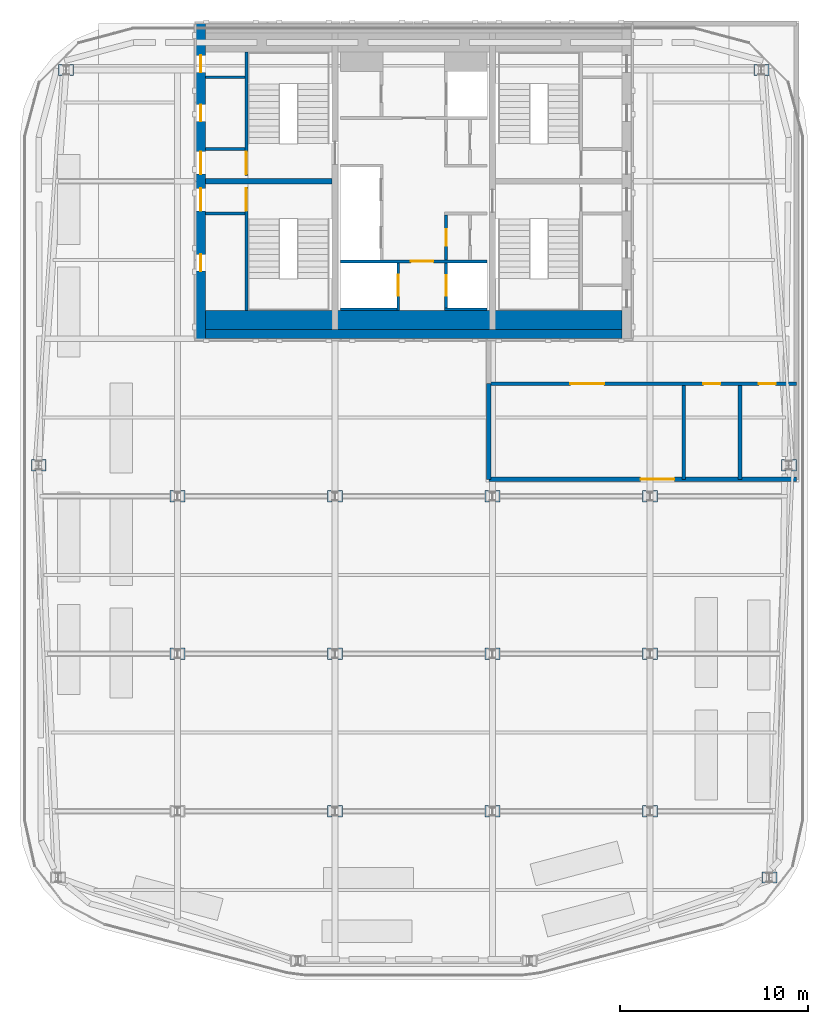
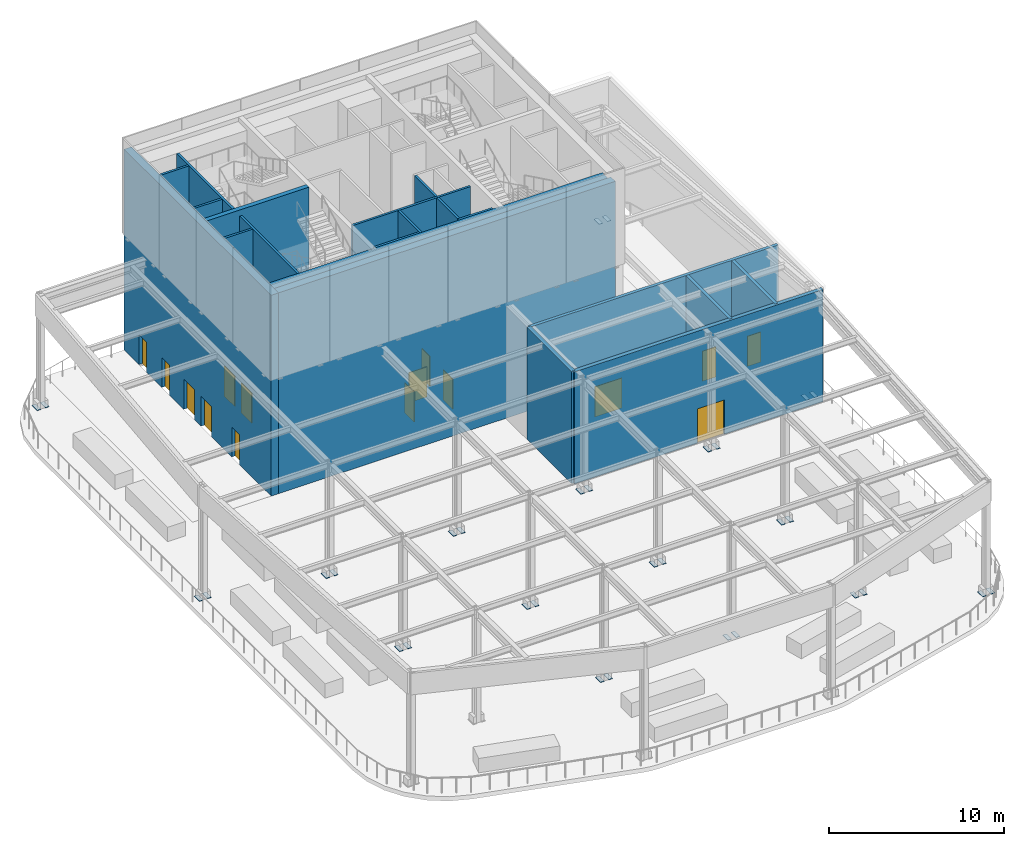
# One storey, part 6 of 14: 32 plates, 20 walls, 15 doors, 15 openings.
"""IFC4 building model written with IfcOpenShell, lengths in metres."""

from ifc_helpers import new_model, si_unit, direction, frame, frame_2d, origin, origin_2d, place, context, subcontext, project, spatial, rectangle, extrude, material, layer, layer_set, type_object, element, fill, save


model = new_model("IFC4")

# Units and contexts
model_context = context("Model", 3, precision=1e-05, world=origin(), true_north=direction((0.0, 1.0)))
body_context = subcontext(model_context, "Body", "Model", "MODEL_VIEW")
ifc_project = project(units=[si_unit("LENGTHUNIT", "METRE"), si_unit("AREAUNIT", "SQUARE_METRE"), si_unit("VOLUMEUNIT", "CUBIC_METRE"), si_unit("PLANEANGLEUNIT", "RADIAN"), si_unit("MASSUNIT", "GRAM", prefix="KILO")], contexts=[model_context])

# Site, building, storey
site_placement = place(None, origin())
site = spatial("IfcSite", under=ifc_project, at=site_placement, CompositionType="ELEMENT")
building_placement = place(site_placement, origin())
building = spatial("IfcBuilding", under=site, at=building_placement, Name="Marenta Gate Hotel Tower", CompositionType="ELEMENT")
storey_placement = place(building_placement, frame((0.0, 0.0, 295.699951171875)))
storey = spatial("IfcBuildingStorey", under=building, at=storey_placement, Name="L67", CompositionType="ELEMENT", Elevation=295.699951171875)

# Plates
ifc_material_1 = material(Name="Steel S355J2W", Category="steel")
ifc_layer_1 = layer(ifc_material_1, 0.02490234375)
ifc_layer_set_1 = layer_set([ifc_layer_1], Name="Steel S355J2W")
plate_type = type_object("IfcPlateType", Name="Column base plate 25 mm", PredefinedType="SHEET", material=ifc_layer_set_1)
for number, where, z_axis, x_axis, name in (
    (1, (18.68798828125, -28.73291015625, 0.0), (0.0, 0.0, 1.0), (1.0, 0.0, 0.0), "BP1 Column base plate"),
    (2, (19.238037109375, -28.73291015625, 0.0), (0.0, 0.0, 1.0), (1.0, 0.0, 0.0), "BP1 Column base plate"),
    (3, (19.72509765625, -6.75, 0.0), (0.0, 0.0, 1.0), (1.0, 0.0, 0.0), "BP1 Column base plate"),
    (4, (20.27490234375, -6.75, 0.0), (0.0, 0.0, 1.0), (1.0, 0.0, 0.0), "BP1 Column base plate"),
    (5, (18.260498046875, 14.33544921875, 0.0), (0.0, 0.0, 1.0), (1.0, 0.0, 0.0), "BP1 Column base plate"),
    (6, (18.810546875, 14.33544921875, 0.0), (0.0, 0.0, 1.0), (1.0, 0.0, 0.0), "BP1 Column base plate"),
    (7, (-18.810546875, 14.33544921875, 0.0), (0.0, 0.0, 1.0), (1.0, 0.0, 0.0), "BP1 Column base plate"),
    (8, (-18.260498046875, 14.33544921875, 0.0), (0.0, 0.0, 1.0), (1.0, 0.0, 0.0), "BP1 Column base plate"),
    (9, (-20.27490234375, -6.75, 0.0), (0.0, 0.0, 1.0), (1.0, 0.0, 0.0), "BP1 Column base plate"),
    (10, (-19.72509765625, -6.75, 0.0), (0.0, 0.0, 1.0), (1.0, 0.0, 0.0), "BP1 Column base plate"),
    (11, (-12.875, -16.800048828125, 0.0), (0.0, 0.0, 1.0), (1.0, 0.0, 0.0), "BP1 Column base plate"),
    (12, (-12.324951171875, -16.800048828125, 0.0), (0.0, 0.0, 1.0), (1.0, 0.0, 0.0), "BP1 Column base plate"),
    (13, (-12.875, -8.39990234375, 0.0), (0.0, 0.0, 1.0), (1.0, 0.0, 0.0), "BP1 Column base plate"),
    (14, (-12.324951171875, -8.39990234375, 0.0), (0.0, 0.0, 1.0), (1.0, 0.0, 0.0), "BP1 Column base plate"),
    (15, (-4.47509765625, -25.199951171875, 0.0), (0.0, 0.0, 1.0), (1.0, 0.0, 0.0), "BP1 Column base plate"),
    (16, (-3.925048828125, -25.199951171875, 0.0), (0.0, 0.0, 1.0), (1.0, 0.0, 0.0), "BP1 Column base plate"),
    (17, (-4.47509765625, -16.800048828125, 0.0), (0.0, 0.0, 1.0), (1.0, 0.0, 0.0), "BP1 Column base plate"),
    (18, (-3.925048828125, -16.800048828125, 0.0), (0.0, 0.0, 1.0), (1.0, 0.0, 0.0), "BP1 Column base plate"),
    (19, (-4.47509765625, -8.39990234375, 0.0), (0.0, 0.0, 1.0), (1.0, 0.0, 0.0), "BP1 Column base plate"),
    (20, (-3.925048828125, -8.39990234375, 0.0), (0.0, 0.0, 1.0), (1.0, 0.0, 0.0), "BP1 Column base plate"),
    (21, (3.925048828125, -25.199951171875, 0.0), (0.0, 0.0, 1.0), (1.0, 0.0, 0.0), "BP1 Column base plate"),
    (22, (4.47509765625, -25.199951171875, 0.0), (0.0, 0.0, 1.0), (1.0, 0.0, 0.0), "BP1 Column base plate"),
    (23, (3.925048828125, -16.800048828125, 0.0), (0.0, 0.0, 1.0), (1.0, 0.0, 0.0), "BP1 Column base plate"),
    (24, (4.47509765625, -16.800048828125, 0.0), (0.0, 0.0, 1.0), (1.0, 0.0, 0.0), "BP1 Column base plate"),
    (25, (3.925048828125, -8.39990234375, 0.0), (0.0, 0.0, 1.0), (1.0, 0.0, 0.0), "BP1 Column base plate"),
    (26, (4.47509765625, -8.39990234375, 0.0), (0.0, 0.0, 1.0), (1.0, 0.0, 0.0), "BP1 Column base plate"),
    (27, (12.324951171875, -25.199951171875, 0.0), (0.0, 0.0, 1.0), (1.0, 0.0, 0.0), "BP1 Column base plate"),
    (28, (12.875, -25.199951171875, 0.0), (0.0, 0.0, 1.0), (1.0, 0.0, 0.0), "BP1 Column base plate"),
    (29, (12.324951171875, -16.800048828125, 0.0), (0.0, 0.0, 1.0), (1.0, 0.0, 0.0), "BP1 Column base plate"),
    (30, (12.875, -16.800048828125, 0.0), (0.0, 0.0, 1.0), (1.0, 0.0, 0.0), "BP1 Column base plate"),
    (31, (12.324951171875, -8.39990234375, 0.0), (0.0, 0.0, 1.0), (1.0, 0.0, 0.0), "BP1 Column base plate"),
    (32, (12.875, -8.39990234375, 0.0), (0.0, 0.0, 1.0), (1.0, 0.0, 0.0), "BP1 Column base plate"),
):
    element("IfcPlate", number, at=place(storey_placement, frame(where, z_axis=z_axis, x_axis=x_axis)), inside=storey, type_object=plate_type, Name=name, PredefinedType="SHEET", context=body_context, shape_type="SweptSolid", body=[
        extrude(rectangle(XDim=0.25, YDim=0.60009765625, at=origin_2d()), origin(), (0.0, 0.0, 1.0), 0.02490234375),
    ])

# Wall
ifc_material_2 = material(Name="Concrete C40", Category="concrete")
ifc_layer_2 = layer(ifc_material_2, 1.0)
ifc_layer_set_2 = layer_set([ifc_layer_2], Name="Concrete C40")
wall_type_1 = type_object("IfcWallType", Name="Core lining wall 1000 REI 180", PredefinedType="PARTITIONING", material=ifc_layer_set_2)
wall_1_placement = place(storey_placement, frame((-11.10009765625, 1.0, 0.0), z_axis=(0.0, 0.0, 1.0), x_axis=(1.0, 0.0, 0.0)))
element("IfcWall", 33, at=wall_1_placement, inside=storey, type_object=wall_type_1, Name="L67-CP-LN-S", PredefinedType="PARTITIONING", context=body_context, shape_type="SweptSolid", body=[
    extrude(rectangle(XDim=22.2001953125, YDim=1.0, at=frame_2d((11.10009765625, 0.0))), origin(), (0.0, 0.0, 1.0), 13.699951171875),
])

# Wall, opening, door
ifc_material_3 = material(Name="Concrete blockwork", Category="masonry")
ifc_layer_3 = layer(ifc_material_3, 0.14990234375)
ifc_layer_set_3 = layer_set([ifc_layer_3], Name="Concrete blockwork")
wall_type_2 = type_object("IfcWallType", Name="Core lobby partition 150 REI 180", PredefinedType="PARTITIONING", material=ifc_layer_set_3)
wall_2_placement = place(storey_placement, frame((-3.89990234375, 4.125, 0.0), z_axis=(0.0, 0.0, 1.0), x_axis=(1.0, 0.0, 0.0)))
wall_2 = element("IfcWall", 34, at=wall_2_placement, inside=storey, type_object=wall_type_2, Name="L67-CP-CW-S", PredefinedType="PARTITIONING", context=body_context, shape_type="SweptSolid", body=[
    extrude(rectangle(XDim=7.7998046875, YDim=0.14990234375, at=frame_2d((3.89990234375, 0.0))), origin(), (0.0, 0.0, 1.0), 13.699951171875),
])
opening_1_placement = place(wall_2_placement, frame((3.75, 0.0, 0.0)))
opening_1 = element("IfcOpeningElement", 35, at=opening_1_placement, cuts=wall_2, Name="Opening FD-FFS", PredefinedType="OPENING", context=body_context, shape_type="SweptSolid", body=[
    extrude(rectangle(XDim=1.199951171875, YDim=2.10009765625, at=frame_2d((0.60009765625, 1.050048828125))), frame((0.0, 0.074951171875, 0.0), z_axis=(0.0, -1.0, 0.0), x_axis=(1.0, 0.0, 0.0)), (0.0, 0.0, 1.0), 0.14990234375),
])
ifc_material_4 = material(Name="Steel", Category="steel")
door_type_1 = type_object("IfcDoorType", Name="Core lobby door 1200x2100 FD60", OperationType="SINGLE_SWING_LEFT", PredefinedType="DOOR", material=ifc_material_4)
door_1_placement = place(opening_1_placement, origin())
door_1 = element("IfcDoor", 36, at=door_1_placement, inside=storey, type_object=door_type_1, Name="FD-FFS", OperationType="SINGLE_SWING_LEFT", OverallHeight=2.10009765625, OverallWidth=1.199951171875, PredefinedType="DOOR", context=body_context, shape_type="SweptSolid", body=[
    extrude(rectangle(XDim=1.199951171875, YDim=2.10009765625, at=frame_2d((0.60009765625, 1.050048828125))), frame((0.0, 0.02490234375, 0.0), z_axis=(0.0, -1.0, 0.0), x_axis=(1.0, 0.0, 0.0)), (0.0, 0.0, 1.0), 0.050048828125),
])
fill(opening_1, door_1)

# Walls
ifc_material_5 = material(Name="Concrete blockwork", Category="masonry")
ifc_layer_4 = layer(ifc_material_5, 0.14990234375)
ifc_layer_set_4 = layer_set([ifc_layer_4], Name="Concrete blockwork")
wall_type_3 = type_object("IfcWallType", Name="Core room partition 150 REI 180", PredefinedType="PARTITIONING", material=ifc_layer_set_4)
for number, where, z_axis, x_axis, name in (
    (37, (-11.10009765625, 6.675048828125, 0.0), (0.0, 0.0, 1.0), (1.0, 0.0, 0.0), "L67-CP-SW-WS-2"),
    (38, (-11.10009765625, 10.125, 0.0), (0.0, 0.0, 1.0), (1.0, 0.0, 0.0), "L67-CP-SW-WN-2"),
    (39, (-11.10009765625, 13.949951171875, 0.0), (0.0, 0.0, 1.0), (1.0, 0.0, 0.0), "L67-CP-RW-WN-1"),
):
    element("IfcWall", number, at=place(storey_placement, frame(where, z_axis=z_axis, x_axis=x_axis)), inside=storey, type_object=wall_type_3, Name=name, PredefinedType="PARTITIONING", context=body_context, shape_type="SweptSolid", body=[
        extrude(rectangle(XDim=2.10009765625, YDim=0.14990234375, at=frame_2d((1.050048828125, 0.0))), origin(), (0.0, 0.0, 1.0), 13.699951171875),
    ])

# Wall, opening, door
wall_3_placement = place(storey_placement, frame((1.72509765625, 4.199951171875, 0.0), z_axis=(0.0, 0.0, 1.0), x_axis=(0.0, 1.0, 0.0)))
wall_3 = element("IfcWall", 40, at=wall_3_placement, inside=storey, type_object=wall_type_3, Name="L67-CP-CE-front-1", PredefinedType="PARTITIONING", context=body_context, shape_type="SweptSolid", body=[
    extrude(rectangle(XDim=2.400146484375, YDim=0.14990234375, at=frame_2d((1.2001953125, 0.0))), origin(), (0.0, 0.0, 1.0), 13.699951171875),
])
opening_2_placement = place(wall_3_placement, frame((0.75, 0.0, 0.0)))
opening_2 = element("IfcOpeningElement", 41, at=opening_2_placement, cuts=wall_3, Name="Opening RD-CE-1a", PredefinedType="OPENING", context=body_context, shape_type="SweptSolid", body=[
    extrude(rectangle(XDim=0.89990234375, YDim=2.10009765625, at=frame_2d((0.449951171875, 1.050048828125))), frame((0.0, 0.074951171875, 0.0), z_axis=(0.0, -1.0, 0.0), x_axis=(1.0, 0.0, 0.0)), (0.0, 0.0, 1.0), 0.14990234375),
])
ifc_material_6 = material(Name="Steel", Category="steel")
door_type_2 = type_object("IfcDoorType", Name="Core service room door 900x2100 FD30S", OperationType="SINGLE_SWING_LEFT", PredefinedType="DOOR", material=ifc_material_6)
door_2_placement = place(opening_2_placement, origin())
door_2 = element("IfcDoor", 42, at=door_2_placement, inside=storey, type_object=door_type_2, Name="RD-CE-1a", OperationType="SINGLE_SWING_LEFT", OverallHeight=2.10009765625, OverallWidth=0.89990234375, PredefinedType="DOOR", context=body_context, shape_type="SweptSolid", body=[
    extrude(rectangle(XDim=0.89990234375, YDim=2.10009765625, at=frame_2d((0.449951171875, 1.050048828125))), frame((0.0, 0.02490234375, 0.0), z_axis=(0.0, -1.0, 0.0), x_axis=(1.0, 0.0, 0.0)), (0.0, 0.0, 1.0), 0.050048828125),
])
fill(opening_2, door_2)

ifc_material_7 = material(Name="Concrete C40", Category="concrete")
ifc_layer_5 = layer(ifc_material_7, 0.14990234375)
ifc_layer_set_5 = layer_set([ifc_layer_5], Name="Concrete C40")
wall_type_4 = type_object("IfcWallType", Name="Core shaft wall 150 REI 180", PredefinedType="SHEAR", material=ifc_layer_set_5)
wall_4_placement = place(storey_placement, frame((-0.824951171875, 1.5, 0.0), z_axis=(0.0, 0.0, 1.0), x_axis=(0.0, 1.0, 0.0)))
wall_4 = element("IfcWall", 43, at=wall_4_placement, inside=storey, type_object=wall_type_4, Name="L67-SHF-CW-W-ff", PredefinedType="SHEAR", context=body_context, shape_type="SweptSolid", body=[
    extrude(rectangle(XDim=2.550048828125, YDim=0.14990234375, at=frame_2d((1.27490234375, 0.0))), origin(), (0.0, 0.0, 1.0), 13.699951171875),
])
opening_3_placement = place(wall_4_placement, frame((0.800048828125, 0.0, 0.0)))
opening_3 = element("IfcOpeningElement", 44, at=opening_3_placement, cuts=wall_4, Name="Opening LD-FF1", PredefinedType="OPENING", context=body_context, shape_type="SweptSolid", body=[
    extrude(rectangle(XDim=1.10009765625, YDim=2.10009765625, at=frame_2d((0.550048828125, 1.050048828125))), frame((0.0, 0.074951171875, 0.0), z_axis=(0.0, -1.0, 0.0), x_axis=(1.0, 0.0, 0.0)), (0.0, 0.0, 1.0), 0.14990234375),
])
ifc_material_8 = material(Name="Steel", Category="steel")
door_type_3 = type_object("IfcDoorType", Name="Core lift landing door 1100x2100 E 60", OperationType="SLIDING_TO_LEFT", PredefinedType="DOOR", material=ifc_material_8)
door_3_placement = place(opening_3_placement, origin())
door_3 = element("IfcDoor", 45, at=door_3_placement, inside=storey, type_object=door_type_3, Name="LD-FF1", OperationType="SLIDING_TO_LEFT", OverallHeight=2.10009765625, OverallWidth=1.10009765625, PredefinedType="DOOR", context=body_context, shape_type="SweptSolid", body=[
    extrude(rectangle(XDim=1.10009765625, YDim=2.10009765625, at=frame_2d((0.550048828125, 1.050048828125))), frame((0.0, 0.02490234375, 0.0), z_axis=(0.0, -1.0, 0.0), x_axis=(1.0, 0.0, 0.0)), (0.0, 0.0, 1.0), 0.050048828125),
])
fill(opening_3, door_3)

# Wall
wall_5_placement = place(storey_placement, frame((-3.89990234375, 1.574951171875, 0.0), z_axis=(0.0, 0.0, 1.0), x_axis=(1.0, 0.0, 0.0)))
element("IfcWall", 46, at=wall_5_placement, inside=storey, type_object=wall_type_4, Name="L67-SHF-CW-W-ffs", PredefinedType="SHEAR", context=body_context, shape_type="SweptSolid", body=[
    extrude(rectangle(XDim=3.0, YDim=0.14990234375, at=frame_2d((1.5, 0.0))), origin(), (0.0, 0.0, 1.0), 13.699951171875),
])

# Wall, opening, door
wall_6_placement = place(storey_placement, frame((1.72509765625, 1.64990234375, 0.0), z_axis=(0.0, 0.0, 1.0), x_axis=(0.0, 1.0, 0.0)))
wall_6 = element("IfcWall", 47, at=wall_6_placement, inside=storey, type_object=wall_type_4, Name="L67-SHF-CE-S-ls", PredefinedType="SHEAR", context=body_context, shape_type="SweptSolid", body=[
    extrude(rectangle(XDim=2.400146484375, YDim=0.14990234375, at=frame_2d((1.2001953125, 0.0))), origin(), (0.0, 0.0, 1.0), 13.699951171875),
])
opening_4_placement = place(wall_6_placement, frame((0.64990234375, 0.0, 0.0)))
opening_4 = element("IfcOpeningElement", 48, at=opening_4_placement, cuts=wall_6, Name="Opening LD-SV1", PredefinedType="OPENING", context=body_context, shape_type="SweptSolid", body=[
    extrude(rectangle(XDim=1.10009765625, YDim=2.10009765625, at=frame_2d((0.550048828125, 1.050048828125))), frame((0.0, 0.074951171875, 0.0), z_axis=(0.0, -1.0, 0.0), x_axis=(1.0, 0.0, 0.0)), (0.0, 0.0, 1.0), 0.14990234375),
])
door_4_placement = place(opening_4_placement, origin())
door_4 = element("IfcDoor", 49, at=door_4_placement, inside=storey, type_object=door_type_3, Name="LD-SV1", OperationType="SLIDING_TO_LEFT", OverallHeight=2.10009765625, OverallWidth=1.10009765625, PredefinedType="DOOR", context=body_context, shape_type="SweptSolid", body=[
    extrude(rectangle(XDim=1.10009765625, YDim=2.10009765625, at=frame_2d((0.550048828125, 1.050048828125))), frame((0.0, 0.02490234375, 0.0), z_axis=(0.0, -1.0, 0.0), x_axis=(1.0, 0.0, 0.0)), (0.0, 0.0, 1.0), 0.050048828125),
])
fill(opening_4, door_4)

# Wall
wall_7_placement = place(storey_placement, frame((1.64990234375, 1.574951171875, 0.0), z_axis=(0.0, 0.0, 1.0), x_axis=(1.0, 0.0, 0.0)))
element("IfcWall", 50, at=wall_7_placement, inside=storey, type_object=wall_type_4, Name="L67-SHF-CE-S-bot", PredefinedType="SHEAR", context=body_context, shape_type="SweptSolid", body=[
    extrude(rectangle(XDim=2.25, YDim=0.14990234375, at=frame_2d((1.125, 0.0))), origin(), (0.0, 0.0, 1.0), 13.699951171875),
])

# Wall, opening, door
ifc_material_9 = material(Name="Concrete C40", Category="concrete")
ifc_layer_6 = layer(ifc_material_9, 0.14990234375)
ifc_layer_set_6 = layer_set([ifc_layer_6], Name="Concrete C40")
wall_type_5 = type_object("IfcWallType", Name="Core stair enclosure wall 150 REI 180", PredefinedType="SHEAR", material=ifc_layer_set_6)
wall_8_placement = place(storey_placement, frame((-8.925048828125, 1.5, 0.0), z_axis=(0.0, 0.0, 1.0), x_axis=(0.0, 1.0, 0.0)))
wall_8 = element("IfcWall", 51, at=wall_8_placement, inside=storey, type_object=wall_type_5, Name="L67-SHF-SW-WS-3", PredefinedType="SHEAR", context=body_context, shape_type="SweptSolid", body=[
    extrude(rectangle(XDim=6.60009765625, YDim=0.14990234375, at=frame_2d((3.300048828125, 0.0))), origin(), (0.0, 0.0, 1.0), 13.699951171875),
])
opening_5_placement = place(wall_8_placement, frame((5.324951171875, 0.0, 0.0)))
opening_5 = element("IfcOpeningElement", 52, at=opening_5_placement, cuts=wall_8, Name="Opening SD-WS", PredefinedType="OPENING", context=body_context, shape_type="SweptSolid", body=[
    extrude(rectangle(XDim=1.199951171875, YDim=2.10009765625, at=frame_2d((0.60009765625, 1.050048828125))), frame((0.0, 0.074951171875, 0.0), z_axis=(0.0, -1.0, 0.0), x_axis=(1.0, 0.0, 0.0)), (0.0, 0.0, 1.0), 0.14990234375),
])
ifc_material_10 = material(Name="Steel", Category="steel")
door_type_4 = type_object("IfcDoorType", Name="Core stair door 1200x2100 FD60", OperationType="SINGLE_SWING_LEFT", PredefinedType="DOOR", material=ifc_material_10)
door_5_placement = place(opening_5_placement, origin())
door_5 = element("IfcDoor", 53, at=door_5_placement, inside=storey, type_object=door_type_4, Name="SD-WS", OperationType="SINGLE_SWING_LEFT", OverallHeight=2.10009765625, OverallWidth=1.199951171875, PredefinedType="DOOR", context=body_context, shape_type="SweptSolid", body=[
    extrude(rectangle(XDim=1.199951171875, YDim=2.10009765625, at=frame_2d((0.60009765625, 1.050048828125))), frame((0.0, 0.02490234375, 0.0), z_axis=(0.0, -1.0, 0.0), x_axis=(1.0, 0.0, 0.0)), (0.0, 0.0, 1.0), 0.050048828125),
])
fill(opening_5, door_5)

wall_9_placement = place(storey_placement, frame((-8.925048828125, 8.699951171875, 0.0), z_axis=(0.0, 0.0, 1.0), x_axis=(0.0, 1.0, 0.0)))
wall_9 = element("IfcWall", 54, at=wall_9_placement, inside=storey, type_object=wall_type_5, Name="L67-SHF-SW-WN-3", PredefinedType="SHEAR", context=body_context, shape_type="SweptSolid", body=[
    extrude(rectangle(XDim=6.60009765625, YDim=0.14990234375, at=frame_2d((3.300048828125, 0.0))), origin(), (0.0, 0.0, 1.0), 13.699951171875),
])
opening_6_placement = place(wall_9_placement, frame((0.074951171875, 0.0, 0.0)))
opening_6 = element("IfcOpeningElement", 55, at=opening_6_placement, cuts=wall_9, Name="Opening SD-WN", PredefinedType="OPENING", context=body_context, shape_type="SweptSolid", body=[
    extrude(rectangle(XDim=1.199951171875, YDim=2.10009765625, at=frame_2d((0.60009765625, 1.050048828125))), frame((0.0, 0.074951171875, 0.0), z_axis=(0.0, -1.0, 0.0), x_axis=(1.0, 0.0, 0.0)), (0.0, 0.0, 1.0), 0.14990234375),
])
door_6_placement = place(opening_6_placement, origin())
door_6 = element("IfcDoor", 56, at=door_6_placement, inside=storey, type_object=door_type_4, Name="SD-WN", OperationType="SINGLE_SWING_LEFT", OverallHeight=2.10009765625, OverallWidth=1.199951171875, PredefinedType="DOOR", context=body_context, shape_type="SweptSolid", body=[
    extrude(rectangle(XDim=1.199951171875, YDim=2.10009765625, at=frame_2d((0.60009765625, 1.050048828125))), frame((0.0, 0.02490234375, 0.0), z_axis=(0.0, -1.0, 0.0), x_axis=(1.0, 0.0, 0.0)), (0.0, 0.0, 1.0), 0.050048828125),
])
fill(opening_6, door_6)

# Wall, openings, doors
ifc_material_11 = material(Name="Concrete C50", Category="concrete")
ifc_layer_7 = layer(ifc_material_11, 0.5)
ifc_layer_set_7 = layer_set([ifc_layer_7], Name="Concrete C50")
wall_type_6 = type_object("IfcWallType", Name="Core wall 500 C50", PredefinedType="SHEAR", material=ifc_layer_set_7)
wall_10_placement = place(storey_placement, frame((-11.35009765625, 0.0, 0.0), z_axis=(0.0, 0.0, 1.0), x_axis=(0.0, 1.0, 0.0)))
wall_10 = element("IfcWall", 57, at=wall_10_placement, inside=storey, type_object=wall_type_6, Name="L67-CORE-W", PredefinedType="SHEAR", context=body_context, shape_type="SweptSolid", body=[
    extrude(rectangle(XDim=16.800048828125, YDim=0.5, at=frame_2d((8.39990234375, 0.0))), origin(), (0.0, 0.0, 1.0), 14.0),
])
opening_7_placement = place(wall_10_placement, frame((3.60009765625, 0.0, 0.0)))
opening_7 = element("IfcOpeningElement", 58, at=opening_7_placement, cuts=wall_10, Name="Opening RD-WS-1", PredefinedType="OPENING", context=body_context, shape_type="SweptSolid", body=[
    extrude(rectangle(XDim=0.89990234375, YDim=2.10009765625, at=frame_2d((0.449951171875, 1.050048828125))), frame((0.0, 0.25, 0.0), z_axis=(0.0, -1.0, 0.0), x_axis=(1.0, 0.0, 0.0)), (0.0, 0.0, 1.0), 0.5),
])
opening_8_placement = place(wall_10_placement, frame((6.824951171875, 0.0, 0.0)))
opening_8 = element("IfcOpeningElement", 59, at=opening_8_placement, cuts=wall_10, Name="Opening PD-WS", PredefinedType="OPENING", context=body_context, shape_type="SweptSolid", body=[
    extrude(rectangle(XDim=1.199951171875, YDim=2.10009765625, at=frame_2d((0.60009765625, 1.050048828125))), frame((0.0, 0.25, 0.0), z_axis=(0.0, -1.0, 0.0), x_axis=(1.0, 0.0, 0.0)), (0.0, 0.0, 1.0), 0.5),
])
opening_9_placement = place(wall_10_placement, frame((14.21240234375, 0.0, 0.0)))
opening_9 = element("IfcOpeningElement", 60, at=opening_9_placement, cuts=wall_10, Name="Opening RD-WN-1", PredefinedType="OPENING", context=body_context, shape_type="SweptSolid", body=[
    extrude(rectangle(XDim=0.89990234375, YDim=2.10009765625, at=frame_2d((0.449951171875, 1.050048828125))), frame((0.0, 0.25, 0.0), z_axis=(0.0, -1.0, 0.0), x_axis=(1.0, 0.0, 0.0)), (0.0, 0.0, 1.0), 0.5),
])
opening_10_placement = place(wall_10_placement, frame((11.58740234375, 0.0, 0.0)))
opening_10 = element("IfcOpeningElement", 61, at=opening_10_placement, cuts=wall_10, Name="Opening RD-WN-2", PredefinedType="OPENING", context=body_context, shape_type="SweptSolid", body=[
    extrude(rectangle(XDim=0.89990234375, YDim=2.10009765625, at=frame_2d((0.449951171875, 1.050048828125))), frame((0.0, 0.25, 0.0), z_axis=(0.0, -1.0, 0.0), x_axis=(1.0, 0.0, 0.0)), (0.0, 0.0, 1.0), 0.5),
])
opening_11_placement = place(wall_10_placement, frame((8.77490234375, 0.0, 0.0)))
opening_11 = element("IfcOpeningElement", 62, at=opening_11_placement, cuts=wall_10, Name="Opening PD-WN", PredefinedType="OPENING", context=body_context, shape_type="SweptSolid", body=[
    extrude(rectangle(XDim=1.199951171875, YDim=2.10009765625, at=frame_2d((0.60009765625, 1.050048828125))), frame((0.0, 0.25, 0.0), z_axis=(0.0, -1.0, 0.0), x_axis=(1.0, 0.0, 0.0)), (0.0, 0.0, 1.0), 0.5),
])
door_7_placement = place(opening_8_placement, origin())
door_7 = element("IfcDoor", 63, at=door_7_placement, inside=storey, type_object=door_type_1, Name="PD-WS", OperationType="SINGLE_SWING_LEFT", OverallHeight=2.10009765625, OverallWidth=1.199951171875, PredefinedType="DOOR", context=body_context, shape_type="SweptSolid", body=[
    extrude(rectangle(XDim=1.199951171875, YDim=2.10009765625, at=frame_2d((0.60009765625, 1.050048828125))), frame((0.0, 0.02490234375, 0.0), z_axis=(0.0, -1.0, 0.0), x_axis=(1.0, 0.0, 0.0)), (0.0, 0.0, 1.0), 0.050048828125),
])
fill(opening_8, door_7)
door_8_placement = place(opening_11_placement, origin())
door_8 = element("IfcDoor", 64, at=door_8_placement, inside=storey, type_object=door_type_1, Name="PD-WN", OperationType="SINGLE_SWING_LEFT", OverallHeight=2.10009765625, OverallWidth=1.199951171875, PredefinedType="DOOR", context=body_context, shape_type="SweptSolid", body=[
    extrude(rectangle(XDim=1.199951171875, YDim=2.10009765625, at=frame_2d((0.60009765625, 1.050048828125))), frame((0.0, 0.02490234375, 0.0), z_axis=(0.0, -1.0, 0.0), x_axis=(1.0, 0.0, 0.0)), (0.0, 0.0, 1.0), 0.050048828125),
])
fill(opening_11, door_8)
door_9_placement = place(opening_7_placement, origin())
door_9 = element("IfcDoor", 65, at=door_9_placement, inside=storey, type_object=door_type_2, Name="RD-WS-1", OperationType="SINGLE_SWING_LEFT", OverallHeight=2.10009765625, OverallWidth=0.89990234375, PredefinedType="DOOR", context=body_context, shape_type="SweptSolid", body=[
    extrude(rectangle(XDim=0.89990234375, YDim=2.10009765625, at=frame_2d((0.449951171875, 1.050048828125))), frame((0.0, 0.02490234375, 0.0), z_axis=(0.0, -1.0, 0.0), x_axis=(1.0, 0.0, 0.0)), (0.0, 0.0, 1.0), 0.050048828125),
])
fill(opening_7, door_9)
door_10_placement = place(opening_9_placement, origin())
door_10 = element("IfcDoor", 66, at=door_10_placement, inside=storey, type_object=door_type_2, Name="RD-WN-1", OperationType="SINGLE_SWING_LEFT", OverallHeight=2.10009765625, OverallWidth=0.89990234375, PredefinedType="DOOR", context=body_context, shape_type="SweptSolid", body=[
    extrude(rectangle(XDim=0.89990234375, YDim=2.10009765625, at=frame_2d((0.449951171875, 1.050048828125))), frame((0.0, 0.02490234375, 0.0), z_axis=(0.0, -1.0, 0.0), x_axis=(1.0, 0.0, 0.0)), (0.0, 0.0, 1.0), 0.050048828125),
])
fill(opening_9, door_10)
door_11_placement = place(opening_10_placement, origin())
door_11 = element("IfcDoor", 67, at=door_11_placement, inside=storey, type_object=door_type_2, Name="RD-WN-2", OperationType="SINGLE_SWING_LEFT", OverallHeight=2.10009765625, OverallWidth=0.89990234375, PredefinedType="DOOR", context=body_context, shape_type="SweptSolid", body=[
    extrude(rectangle(XDim=0.89990234375, YDim=2.10009765625, at=frame_2d((0.449951171875, 1.050048828125))), frame((0.0, 0.02490234375, 0.0), z_axis=(0.0, -1.0, 0.0), x_axis=(1.0, 0.0, 0.0)), (0.0, 0.0, 1.0), 0.050048828125),
])
fill(opening_10, door_11)

# Walls
wall_11_placement = place(storey_placement, frame((-11.10009765625, 0.25, 0.0), z_axis=(0.0, 0.0, 1.0), x_axis=(1.0, 0.0, 0.0)))
element("IfcWall", 68, at=wall_11_placement, inside=storey, type_object=wall_type_6, Name="L67-CORE-S", PredefinedType="SHEAR", context=body_context, shape_type="SweptSolid", body=[
    extrude(rectangle(XDim=22.2001953125, YDim=0.5, at=frame_2d((11.10009765625, 0.0))), origin(), (0.0, 0.0, 1.0), 14.0),
])
ifc_material_12 = material(Name="Concrete C50", Category="concrete")
ifc_layer_8 = layer(ifc_material_12, 0.300048828125)
ifc_layer_set_8 = layer_set([ifc_layer_8], Name="Concrete C50")
wall_type_7 = type_object("IfcWallType", Name="Core web 300 C50", PredefinedType="SHEAR", material=ifc_layer_set_8)
wall_12_placement = place(storey_placement, frame((-11.10009765625, 8.39990234375, 0.0), z_axis=(0.0, 0.0, 1.0), x_axis=(1.0, 0.0, 0.0)))
element("IfcWall", 69, at=wall_12_placement, inside=storey, type_object=wall_type_7, Name="L67-CORE-W3", PredefinedType="SHEAR", context=body_context, shape_type="SweptSolid", body=[
    extrude(rectangle(XDim=6.75, YDim=0.300048828125, at=frame_2d((3.375, 0.0))), origin(), (0.0, 0.0, 1.0), 14.0),
])

# Wall, opening, door
ifc_material_13 = material(Name="Concrete C40", Category="concrete")
ifc_layer_9 = layer(ifc_material_13, 0.25)
ifc_layer_set_9 = layer_set([ifc_layer_9], Name="Concrete C40")
wall_type_8 = type_object("IfcWallType", Name="Pavilion external wall 250 mm", PredefinedType="SOLIDWALL", material=ifc_layer_set_9)
wall_13_placement = place(storey_placement, frame((20.39990234375, -7.5, 0.0), z_axis=(0.0, 0.0, 1.0), x_axis=(-1.0, 0.0, 0.0)))
wall_13 = element("IfcWall", 70, at=wall_13_placement, inside=storey, type_object=wall_type_8, Name="L67-PTN-PV04", PredefinedType="SOLIDWALL", context=body_context, shape_type="SweptSolid", body=[
    extrude(rectangle(XDim=16.39990234375, YDim=0.25, at=frame_2d((8.199951171875, 0.0))), origin(), (0.0, 0.0, 1.0), 7.820068359375),
])
opening_12_placement = place(wall_13_placement, frame((6.5, 0.0, 0.0)))
opening_12 = element("IfcOpeningElement", 71, at=opening_12_placement, cuts=wall_13, Name="Opening PV-01", PredefinedType="OPENING", context=body_context, shape_type="SweptSolid", body=[
    extrude(rectangle(XDim=1.800048828125, YDim=2.39990234375, at=frame_2d((0.89990234375, 1.199951171875))), frame((0.0, 0.125, 0.0), z_axis=(0.0, -1.0, 0.0), x_axis=(1.0, 0.0, 0.0)), (0.0, 0.0, 1.0), 0.25),
])
ifc_material_14 = material(Name="Aluminium framed glazed door", Category="aluminium")
door_type_5 = type_object("IfcDoorType", Name="Pavilion garden door 1800x2400", OperationType="DOUBLE_DOOR_SINGLE_SWING", PredefinedType="DOOR", material=ifc_material_14)
door_12_placement = place(opening_12_placement, origin())
door_12 = element("IfcDoor", 72, at=door_12_placement, inside=storey, type_object=door_type_5, Name="L67-PD-PV01", OperationType="SINGLE_SWING_LEFT", OverallHeight=2.39990234375, OverallWidth=1.800048828125, PredefinedType="DOOR", context=body_context, shape_type="SweptSolid", body=[
    extrude(rectangle(XDim=1.800048828125, YDim=2.39990234375, at=frame_2d((0.89990234375, 1.199951171875))), frame((0.0, 0.02490234375, 0.0), z_axis=(0.0, -1.0, 0.0), x_axis=(1.0, 0.0, 0.0)), (0.0, 0.0, 1.0), 0.050048828125),
])
fill(opening_12, door_12)

# Wall
wall_14_placement = place(storey_placement, frame((4.0, -7.5, 0.0), z_axis=(0.0, 0.0, 1.0), x_axis=(0.0, 1.0, 0.0)))
element("IfcWall", 73, at=wall_14_placement, inside=storey, type_object=wall_type_8, Name="L67-PTN-PV05", PredefinedType="SOLIDWALL", context=body_context, shape_type="SweptSolid", body=[
    extrude(rectangle(XDim=5.10009765625, YDim=0.25, at=frame_2d((2.550048828125, 0.0))), origin(), (0.0, 0.0, 1.0), 7.820068359375),
])

# Wall, openings, doors
ifc_material_15 = material(Name="Gypsum board on steel stud", Category="steel")
ifc_layer_10 = layer(ifc_material_15, 0.199951171875)
ifc_layer_set_10 = layer_set([ifc_layer_10], Name="Gypsum board on steel stud")
wall_type_9 = type_object("IfcWallType", Name="Room corridor wall 200 EI 60", PredefinedType="PARTITIONING", material=ifc_layer_set_10)
wall_15_placement = place(storey_placement, frame((4.0, -2.39990234375, 0.0), z_axis=(0.0, 0.0, 1.0), x_axis=(1.0, 0.0, 0.0)))
wall_15 = element("IfcWall", 74, at=wall_15_placement, inside=storey, type_object=wall_type_9, Name="L67-PTN-W003", PredefinedType="PARTITIONING", context=body_context, shape_type="SweptSolid", body=[
    extrude(rectangle(XDim=16.39990234375, YDim=0.199951171875, at=frame_2d((8.199951171875, 0.0))), origin(), (0.0, 0.0, 1.0), 7.820068359375),
])
opening_13_placement = place(wall_15_placement, frame((4.35009765625, 0.0, 0.0)))
opening_13 = element("IfcOpeningElement", 75, at=opening_13_placement, cuts=wall_15, Name="Opening S14-01", PredefinedType="OPENING", context=body_context, shape_type="SweptSolid", body=[
    extrude(rectangle(XDim=1.800048828125, YDim=2.10009765625, at=frame_2d((0.89990234375, 1.050048828125))), frame((0.0, 0.10009765625, 0.0), z_axis=(0.0, -1.0, 0.0), x_axis=(1.0, 0.0, 0.0)), (0.0, 0.0, 1.0), 0.199951171875),
])
opening_14_placement = place(wall_15_placement, frame((11.449951171875, 0.0, 0.0)))
opening_14 = element("IfcOpeningElement", 76, at=opening_14_placement, cuts=wall_15, Name="Opening S14-02", PredefinedType="OPENING", context=body_context, shape_type="SweptSolid", body=[
    extrude(rectangle(XDim=0.89990234375, YDim=2.10009765625, at=frame_2d((0.449951171875, 1.050048828125))), frame((0.0, 0.10009765625, 0.0), z_axis=(0.0, -1.0, 0.0), x_axis=(1.0, 0.0, 0.0)), (0.0, 0.0, 1.0), 0.199951171875),
])
opening_15_placement = place(wall_15_placement, frame((14.39990234375, 0.0, 0.0)))
opening_15 = element("IfcOpeningElement", 77, at=opening_15_placement, cuts=wall_15, Name="Opening S14-03", PredefinedType="OPENING", context=body_context, shape_type="SweptSolid", body=[
    extrude(rectangle(XDim=0.89990234375, YDim=2.10009765625, at=frame_2d((0.449951171875, 1.050048828125))), frame((0.0, 0.10009765625, 0.0), z_axis=(0.0, -1.0, 0.0), x_axis=(1.0, 0.0, 0.0)), (0.0, 0.0, 1.0), 0.199951171875),
])
ifc_material_16 = material(Name="Timber door leaf", Category="wood")
door_type_6 = type_object("IfcDoorType", Name="Room amenity door 1800x2100 EI 30", OperationType="DOUBLE_DOOR_SINGLE_SWING", PredefinedType="DOOR", material=ifc_material_16)
door_13_placement = place(opening_13_placement, origin())
door_13 = element("IfcDoor", 78, at=door_13_placement, inside=storey, type_object=door_type_6, Name="L67-PD-D001", OperationType="DOUBLE_DOOR_SINGLE_SWING", OverallHeight=2.10009765625, OverallWidth=1.800048828125, PredefinedType="DOOR", context=body_context, shape_type="SweptSolid", body=[
    extrude(rectangle(XDim=1.800048828125, YDim=2.10009765625, at=frame_2d((0.89990234375, 1.050048828125))), frame((0.0, 0.02490234375, 0.0), z_axis=(0.0, -1.0, 0.0), x_axis=(1.0, 0.0, 0.0)), (0.0, 0.0, 1.0), 0.050048828125),
])
fill(opening_13, door_13)
ifc_material_17 = material(Name="Timber door leaf", Category="wood")
door_type_7 = type_object("IfcDoorType", Name="Toilet room door 900x2100 EI 30", OperationType="NOTDEFINED", PredefinedType="DOOR", material=ifc_material_17)
door_14_placement = place(opening_14_placement, origin())
door_14 = element("IfcDoor", 79, at=door_14_placement, inside=storey, type_object=door_type_7, Name="L67-PD-D002", OperationType="SINGLE_SWING_RIGHT", OverallHeight=2.10009765625, OverallWidth=0.89990234375, PredefinedType="DOOR", context=body_context, shape_type="SweptSolid", body=[
    extrude(rectangle(XDim=0.89990234375, YDim=2.10009765625, at=frame_2d((0.449951171875, 1.050048828125))), frame((0.0, 0.02490234375, 0.0), z_axis=(0.0, -1.0, 0.0), x_axis=(1.0, 0.0, 0.0)), (0.0, 0.0, 1.0), 0.050048828125),
])
fill(opening_14, door_14)
door_15_placement = place(opening_15_placement, origin())
door_15 = element("IfcDoor", 80, at=door_15_placement, inside=storey, type_object=door_type_7, Name="L67-PD-D003", OperationType="SINGLE_SWING_RIGHT", OverallHeight=2.10009765625, OverallWidth=0.89990234375, PredefinedType="DOOR", context=body_context, shape_type="SweptSolid", body=[
    extrude(rectangle(XDim=0.89990234375, YDim=2.10009765625, at=frame_2d((0.449951171875, 1.050048828125))), frame((0.0, 0.02490234375, 0.0), z_axis=(0.0, -1.0, 0.0), x_axis=(1.0, 0.0, 0.0)), (0.0, 0.0, 1.0), 0.050048828125),
])
fill(opening_15, door_15)

# Walls
ifc_material_18 = material(Name="Gypsum board on steel stud", Category="steel")
ifc_layer_11 = layer(ifc_material_18, 0.199951171875)
ifc_layer_set_11 = layer_set([ifc_layer_11], Name="Gypsum board on steel stud")
wall_type_10 = type_object("IfcWallType", Name="Room party wall 200 EI 60", PredefinedType="PARTITIONING", material=ifc_layer_set_11)
for number, where, z_axis, x_axis, name in (
    (81, (17.39990234375, -7.5, 0.0), (0.0, 0.0, 1.0), (0.0, 1.0, 0.0), "L67-PTN-W001"),
    (82, (14.39990234375, -7.5, 0.0), (0.0, 0.0, 1.0), (0.0, 1.0, 0.0), "L67-PTN-W002"),
):
    element("IfcWall", number, at=place(storey_placement, frame(where, z_axis=z_axis, x_axis=x_axis)), inside=storey, type_object=wall_type_10, Name=name, PredefinedType="PARTITIONING", context=body_context, shape_type="SweptSolid", body=[
        extrude(rectangle(XDim=5.0, YDim=0.199951171875, at=frame_2d((2.5, 0.0))), origin(), (0.0, 0.0, 1.0), 7.820068359375),
    ])

save(model, "model.ifc")
